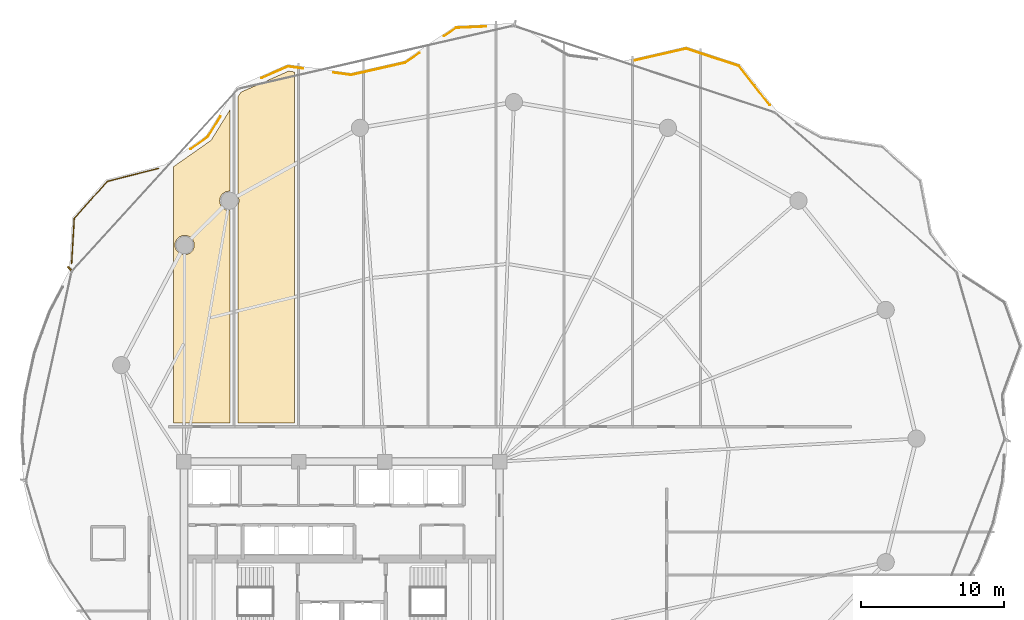
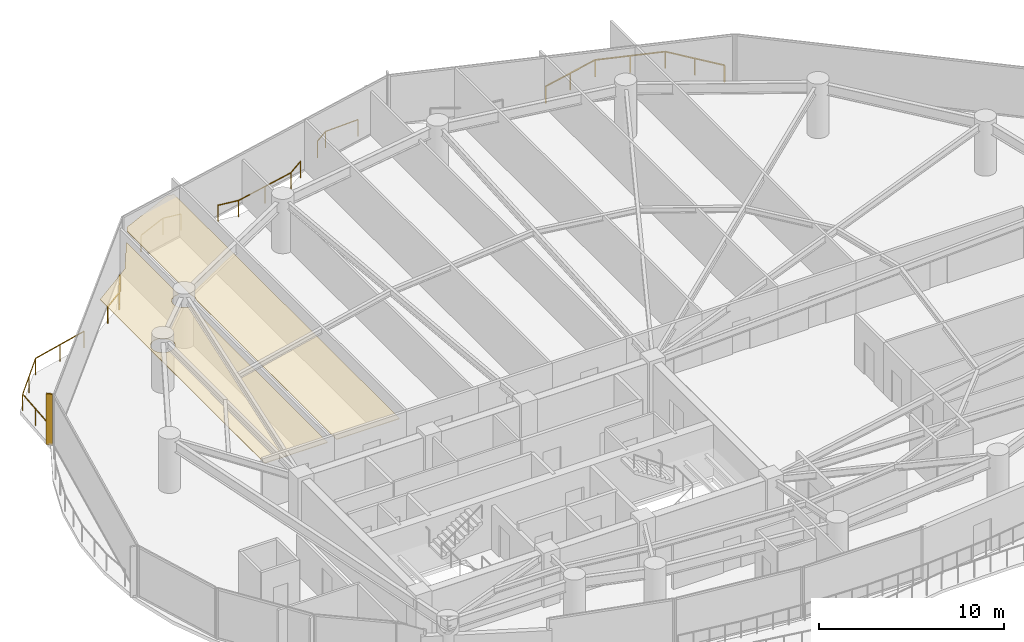
# One storey, part 33 of 34: 6 railings, 2 coverings, 1 shading device.
"""IFC4 building model written with IfcOpenShell, lengths in metres."""

from ifc_helpers import new_model, si_unit, direction, frame, origin, origin_2d, place, context, subcontext, project, spatial, polyline, rectangle, outline, extrude, material, layer, layer_set, type_object, element, save


model = new_model("IFC4")

# Units and contexts
model_context = context("Model", 3, precision=1e-05, world=origin(), true_north=direction((0.0, 1.0)))
body_context = subcontext(model_context, "Body", "Model", "MODEL_VIEW")
ifc_project = project(units=[si_unit("LENGTHUNIT", "METRE"), si_unit("AREAUNIT", "SQUARE_METRE"), si_unit("VOLUMEUNIT", "CUBIC_METRE"), si_unit("PLANEANGLEUNIT", "RADIAN"), si_unit("MASSUNIT", "GRAM", prefix="KILO")], contexts=[model_context])

# Site, building, storey
site_placement = place(None, origin())
site = spatial("IfcSite", under=ifc_project, at=site_placement, CompositionType="ELEMENT")
building_placement = place(site_placement, origin())
building = spatial("IfcBuilding", under=site, at=building_placement, Name="Kazevale Care Tower and Concert Hall", CompositionType="ELEMENT")
storey_placement = place(building_placement, frame((0.0, 0.0, 171.0)))
storey = spatial("IfcBuildingStorey", under=building, at=storey_placement, Name="L45", CompositionType="ELEMENT", Elevation=171.0)

# Coverings
ifc_material_1 = material(Name="Acoustic Plaster and Hinoki Wood", Category="wood")
ifc_layer = layer(ifc_material_1, 0.0400390625)
ifc_layer_set = layer_set([ifc_layer], Name="Acoustic Plaster and Hinoki Wood")
covering_type = type_object("IfcCoveringType", Name="Acoustic Perforated Wood-Gypsum Ceiling", PredefinedType="CEILING", material=ifc_layer_set)
covering_1_placement = place(storey_placement, frame((0.0, 0.0, 2.7099609375)))
element("IfcCovering", 1, at=covering_1_placement, inside=storey, type_object=covering_type, Name="clg:L45:1", PredefinedType="CEILING", context=body_context, shape_type="SweptSolid", body=[
    extrude(outline(polyline([(25.219970703125, 55.2548828125), (24.909912109375, 55.2080078125), (24.68896484375, 55.06103515625), (24.5419921875, 54.840087890625), (24.489990234375, 54.580078125), (24.5419921875, 54.320068359375), (24.68896484375, 54.09912109375), (24.909912109375, 53.951904296875), (25.219970703125, 53.905029296875), (25.219970703125, 39.10498046875), (21.280029296875, 39.10498046875), (21.280029296875, 56.9541015625), (23.89306640625, 58.787109375), (25.219970703125, 60.927978515625), (25.219970703125, 55.2548828125)]), holes=[polyline([(22.717041015625, 51.623046875), (22.614990234375, 51.867919921875), (22.427978515625, 52.054931640625), (22.18310546875, 52.156982421875), (21.9169921875, 52.156982421875), (21.672119140625, 52.054931640625), (21.485107421875, 51.867919921875), (21.383056640625, 51.623046875), (21.383056640625, 51.35693359375), (21.485107421875, 51.112060546875), (21.672119140625, 50.925048828125), (21.9169921875, 50.822998046875), (22.18310546875, 50.822998046875), (22.427978515625, 50.925048828125), (22.614990234375, 51.112060546875), (22.717041015625, 51.35693359375), (22.717041015625, 51.623046875)])]), origin(), (0.0, 0.0, 1.0), 0.0400390625),
])
covering_2_placement = place(storey_placement, frame((0.0, 0.0, 2.7099609375)))
element("IfcCovering", 2, at=covering_2_placement, inside=storey, type_object=covering_type, Name="clg:L45:2", PredefinedType="CEILING", context=body_context, shape_type="SweptSolid", body=[
    extrude(outline(polyline([(29.719970703125, 39.10498046875), (25.780029296875, 39.10498046875), (25.780029296875, 54.285888671875), (25.85009765625, 54.580078125), (25.780029296875, 54.8740234375), (25.780029296875, 61.83203125), (25.97607421875, 62.14892578125), (29.294921875, 63.610107421875), (29.719970703125, 63.552001953125), (29.719970703125, 39.10498046875)])), origin(), (0.0, 0.0, 1.0), 0.0400390625),
])

# Railings
ifc_material_2 = material(Name="Anodised Bronze Aluminium and Laminated Glass", Category="aluminium")
railing_type = type_object("IfcRailingType", Name="Balcony and Terrace Balustrade 1120", PredefinedType="BALUSTRADE", material=ifc_material_2)
railing_1_placement = place(storey_placement, frame((14.176025390625, 50.219970703125, 0.0)))
element("IfcRailing", 3, at=railing_1_placement, inside=storey, type_object=railing_type, Name="rail:L45:perim:2", PredefinedType="BALUSTRADE", context=body_context, shape_type="SweptSolid", body=[
    extrude(rectangle(XDim=0.048095703125, YDim=0.048095703125, at=origin_2d()), frame((0.0, 0.0, 1.09619140625), z_axis=(0.058397513537, 0.99829340898, 0.0), x_axis=(-0.99829340898, 0.058397513537, 0.0)), (0.0, 0.0, 1.0), 3.13134765625),
    extrude(rectangle(XDim=0.048095703125, YDim=0.048095703125, at=origin_2d()), frame((0.182861328125, 3.1259765625, 1.09619140625), z_axis=(0.665105006429, 0.746749844608, 0.0), x_axis=(-0.746749844608, 0.665105006429, 0.0)), (0.0, 0.0, 1.0), 3.453857421875),
    extrude(rectangle(XDim=0.048095703125, YDim=0.048095703125, at=origin_2d()), frame((2.47998046875, 5.705078125, 1.09619140625), z_axis=(0.969135648028, 0.246528083029, 0.0), x_axis=(-0.246528083029, 0.969135648028, 0.0)), (0.0, 0.0, 1.0), 3.667236328125),
    extrude(rectangle(XDim=0.0419921875, YDim=0.0419921875, at=origin_2d()), origin(), (0.0, 0.0, 1.0), 1.072021484375),
    extrude(rectangle(XDim=0.0419921875, YDim=0.0419921875, at=origin_2d()), frame((0.09130859375, 1.56298828125, 0.0)), (0.0, 0.0, 1.0), 1.072021484375),
    extrude(rectangle(XDim=0.0419921875, YDim=0.0419921875, at=origin_2d()), frame((0.182861328125, 3.1259765625, 0.0)), (0.0, 0.0, 1.0), 1.072021484375),
    extrude(rectangle(XDim=0.0419921875, YDim=0.0419921875, at=origin_2d()), frame((1.33154296875, 4.41552734375, 0.0)), (0.0, 0.0, 1.0), 1.072021484375),
    extrude(rectangle(XDim=0.0419921875, YDim=0.0419921875, at=origin_2d()), frame((2.47998046875, 5.705078125, 0.0)), (0.0, 0.0, 1.0), 1.072021484375),
    extrude(rectangle(XDim=0.0419921875, YDim=0.0419921875, at=origin_2d()), frame((4.2568359375, 6.1572265625, 0.0)), (0.0, 0.0, 1.0), 1.072021484375),
    extrude(rectangle(XDim=0.0419921875, YDim=0.0419921875, at=origin_2d()), frame((6.033935546875, 6.609130859375, 0.0)), (0.0, 0.0, 1.0), 1.072021484375),
])
railing_2_placement = place(storey_placement, frame((22.47705078125, 58.18505859375, 0.0)))
element("IfcRailing", 4, at=railing_2_placement, inside=storey, type_object=railing_type, Name="rail:L45:perim:3", PredefinedType="BALUSTRADE", context=body_context, shape_type="SweptSolid", body=[
    extrude(rectangle(XDim=0.048095703125, YDim=0.048095703125, at=origin_2d()), frame((0.0, 0.0, 1.09619140625), z_axis=(0.819016727855, 0.573769639746, 0.0), x_axis=(-0.573769639746, 0.819016727855, 0.0)), (0.0, 0.0, 1.0), 1.439453125),
    extrude(rectangle(XDim=0.048095703125, YDim=0.048095703125, at=origin_2d()), frame((1.178955078125, 0.825927734375, 1.09619140625), z_axis=(0.526547441963, 0.85014574713, 0.0), x_axis=(-0.85014574713, 0.526547441963, 0.0)), (0.0, 0.0, 1.0), 1.69970703125),
    extrude(rectangle(XDim=0.0419921875, YDim=0.0419921875, at=origin_2d()), origin(), (0.0, 0.0, 1.0), 1.072021484375),
    extrude(rectangle(XDim=0.0419921875, YDim=0.0419921875, at=origin_2d()), frame((1.178955078125, 0.825927734375, 0.0)), (0.0, 0.0, 1.0), 1.072021484375),
    extrude(rectangle(XDim=0.0419921875, YDim=0.0419921875, at=origin_2d()), frame((2.073974609375, 2.27099609375, 0.0)), (0.0, 0.0, 1.0), 1.072021484375),
])
railing_3_placement = place(storey_placement, frame((27.425048828125, 63.135986328125, 0.0)))
element("IfcRailing", 5, at=railing_3_placement, inside=storey, type_object=railing_type, Name="rail:L45:perim:4", PredefinedType="BALUSTRADE", context=body_context, shape_type="SweptSolid", body=[
    extrude(rectangle(XDim=0.048095703125, YDim=0.048095703125, at=origin_2d()), frame((0.0, 0.0, 1.09619140625), z_axis=(0.915235534084, 0.402919243957, 0.0), x_axis=(-0.402919243957, 0.915235534084, 0.0)), (0.0, 0.0, 1.0), 1.992919921875),
    extrude(rectangle(XDim=0.048095703125, YDim=0.048095703125, at=origin_2d()), frame((1.823974609375, 0.802978515625, 1.09619140625), z_axis=(0.990895759246, -0.134631327363, 0.0), x_axis=(0.134631327363, 0.990895759246, 0.0)), (0.0, 0.0, 1.0), 1.062744140625),
    extrude(rectangle(XDim=0.0419921875, YDim=0.0419921875, at=origin_2d()), origin(), (0.0, 0.0, 1.0), 1.072021484375),
    extrude(rectangle(XDim=0.0419921875, YDim=0.0419921875, at=origin_2d()), frame((1.823974609375, 0.802978515625, 0.0)), (0.0, 0.0, 1.0), 1.072021484375),
    extrude(rectangle(XDim=0.0419921875, YDim=0.0419921875, at=origin_2d()), frame((2.876953125, 0.659912109375, 0.0)), (0.0, 0.0, 1.0), 1.072021484375),
])
railing_4_placement = place(storey_placement, frame((32.43798828125, 63.506103515625, 0.0)))
element("IfcRailing", 6, at=railing_4_placement, inside=storey, type_object=railing_type, Name="rail:L45:perim:5", PredefinedType="BALUSTRADE", context=body_context, shape_type="SweptSolid", body=[
    extrude(rectangle(XDim=0.048095703125, YDim=0.048095703125, at=origin_2d()), frame((0.0, 0.0, 1.09619140625), z_axis=(0.990995305993, -0.133896614968, 0.0), x_axis=(0.133896614968, 0.990995305993, 0.0)), (0.0, 0.0, 1.0), 1.218017578125),
    extrude(rectangle(XDim=0.048095703125, YDim=0.048095703125, at=origin_2d()), frame((1.20703125, -0.1630859375, 1.09619140625), z_axis=(0.975412879339, 0.220385377962, 0.0), x_axis=(-0.220385377962, 0.975412879339, 0.0)), (0.0, 0.0, 1.0), 3.851806640625),
    extrude(rectangle(XDim=0.048095703125, YDim=0.048095703125, at=origin_2d()), frame((4.964111328125, 0.685791015625, 1.09619140625), z_axis=(0.826107848451, 0.563512043108, 0.0), x_axis=(-0.563512043108, 0.826107848451, 0.0)), (0.0, 0.0, 1.0), 1.21044921875),
    extrude(rectangle(XDim=0.0419921875, YDim=0.0419921875, at=origin_2d()), origin(), (0.0, 0.0, 1.0), 1.072021484375),
    extrude(rectangle(XDim=0.0419921875, YDim=0.0419921875, at=origin_2d()), frame((1.20703125, -0.1630859375, 0.0)), (0.0, 0.0, 1.0), 1.072021484375),
    extrude(rectangle(XDim=0.0419921875, YDim=0.0419921875, at=origin_2d()), frame((3.08544921875, 0.26123046875, 0.0)), (0.0, 0.0, 1.0), 1.072021484375),
    extrude(rectangle(XDim=0.0419921875, YDim=0.0419921875, at=origin_2d()), frame((4.964111328125, 0.685791015625, 0.0)), (0.0, 0.0, 1.0), 1.072021484375),
    extrude(rectangle(XDim=0.0419921875, YDim=0.0419921875, at=origin_2d()), frame((5.964111328125, 1.367919921875, 0.0)), (0.0, 0.0, 1.0), 1.072021484375),
])
railing_5_placement = place(storey_placement, frame((40.125, 66.049072265625, 0.0)))
element("IfcRailing", 7, at=railing_5_placement, inside=storey, type_object=railing_type, Name="rail:L45:perim:6", PredefinedType="BALUSTRADE", context=body_context, shape_type="SweptSolid", body=[
    extrude(rectangle(XDim=0.048095703125, YDim=0.048095703125, at=origin_2d()), frame((0.0, 0.0, 1.09619140625), z_axis=(0.825986647337, 0.563689682735, 0.0), x_axis=(-0.563689682735, 0.825986647337, 0.0)), (0.0, 0.0, 1.0), 1.0302734375),
    extrude(rectangle(XDim=0.048095703125, YDim=0.048095703125, at=origin_2d()), frame((0.85107421875, 0.580810546875, 1.09619140625), z_axis=(0.999008153593, 0.044527621259, 0.0), x_axis=(-0.044527621259, 0.999008153593, 0.0)), (0.0, 0.0, 1.0), 2.0888671875),
    extrude(rectangle(XDim=0.0419921875, YDim=0.0419921875, at=origin_2d()), origin(), (0.0, 0.0, 1.0), 1.072021484375),
    extrude(rectangle(XDim=0.0419921875, YDim=0.0419921875, at=origin_2d()), frame((0.85107421875, 0.580810546875, 0.0)), (0.0, 0.0, 1.0), 1.072021484375),
    extrude(rectangle(XDim=0.0419921875, YDim=0.0419921875, at=origin_2d()), frame((2.93798828125, 0.673828125, 0.0)), (0.0, 0.0, 1.0), 1.072021484375),
])
railing_6_placement = place(storey_placement, frame((53.429931640625, 64.35791015625, 0.0)))
element("IfcRailing", 8, at=railing_6_placement, inside=storey, type_object=railing_type, Name="rail:L45:perim:8", PredefinedType="BALUSTRADE", context=body_context, shape_type="SweptSolid", body=[
    extrude(rectangle(XDim=0.048095703125, YDim=0.048095703125, at=origin_2d()), frame((0.0, 0.0, 1.09619140625), z_axis=(0.974487723827, 0.224440807588, 0.0), x_axis=(-0.224440807588, 0.974487723827, 0.0)), (0.0, 0.0, 1.0), 3.66259765625),
    extrude(rectangle(XDim=0.048095703125, YDim=0.048095703125, at=origin_2d()), frame((3.569091796875, 0.822021484375, 1.09619140625), z_axis=(0.949652960746, -0.313303772953, 0.0), x_axis=(0.313303772953, 0.949652960746, 0.0)), (0.0, 0.0, 1.0), 3.884521484375),
    extrude(rectangle(XDim=0.048095703125, YDim=0.048095703125, at=origin_2d()), frame((7.258056640625, -0.39501953125, 1.09619140625), z_axis=(0.617693820362, -0.786418682564, 0.0), x_axis=(0.786418682564, 0.617693820362, 0.0)), (0.0, 0.0, 1.0), 3.461181640625),
    extrude(rectangle(XDim=0.0419921875, YDim=0.0419921875, at=origin_2d()), origin(), (0.0, 0.0, 1.0), 1.072021484375),
    extrude(rectangle(XDim=0.0419921875, YDim=0.0419921875, at=origin_2d()), frame((1.78466796875, 0.4111328125, 0.0)), (0.0, 0.0, 1.0), 1.072021484375),
    extrude(rectangle(XDim=0.0419921875, YDim=0.0419921875, at=origin_2d()), frame((3.569091796875, 0.822021484375, 0.0)), (0.0, 0.0, 1.0), 1.072021484375),
    extrude(rectangle(XDim=0.0419921875, YDim=0.0419921875, at=origin_2d()), frame((5.41357421875, 0.21337890625, 0.0)), (0.0, 0.0, 1.0), 1.072021484375),
    extrude(rectangle(XDim=0.0419921875, YDim=0.0419921875, at=origin_2d()), frame((7.258056640625, -0.39501953125, 0.0)), (0.0, 0.0, 1.0), 1.072021484375),
    extrude(rectangle(XDim=0.0419921875, YDim=0.0419921875, at=origin_2d()), frame((8.3271484375, -1.755859375, 0.0)), (0.0, 0.0, 1.0), 1.072021484375),
    extrude(rectangle(XDim=0.0419921875, YDim=0.0419921875, at=origin_2d()), frame((9.39599609375, -3.116943359375, 0.0)), (0.0, 0.0, 1.0), 1.072021484375),
])

# Shading device
ifc_material_3 = material(Name="Anodised Bronze Aluminium", Category="aluminium")
shading_device_type = type_object("IfcShadingDeviceType", Name="Waist Anodised Bronze-Stone Fin FIN-02", PredefinedType="USERDEFINED", material=ifc_material_3)
shading_device_placement = place(storey_placement, frame((14.02197265625, 49.8671875, 0.0), z_axis=(0.0, 0.0, 1.0), x_axis=(-0.738455340626, 0.674302387584, 0.0)))
element("IfcShadingDevice", 9, at=shading_device_placement, inside=storey, type_object=shading_device_type, Name="cw:L45:f14:fin", ObjectType="FIN", PredefinedType="USERDEFINED", context=body_context, shape_type="SweptSolid", body=[
    extrude(rectangle(XDim=0.340087890625, YDim=0.10009765625, at=origin_2d()), origin(), (0.0, 0.0, 1.0), 3.360107421875),
])

save(model, "model.ifc")
